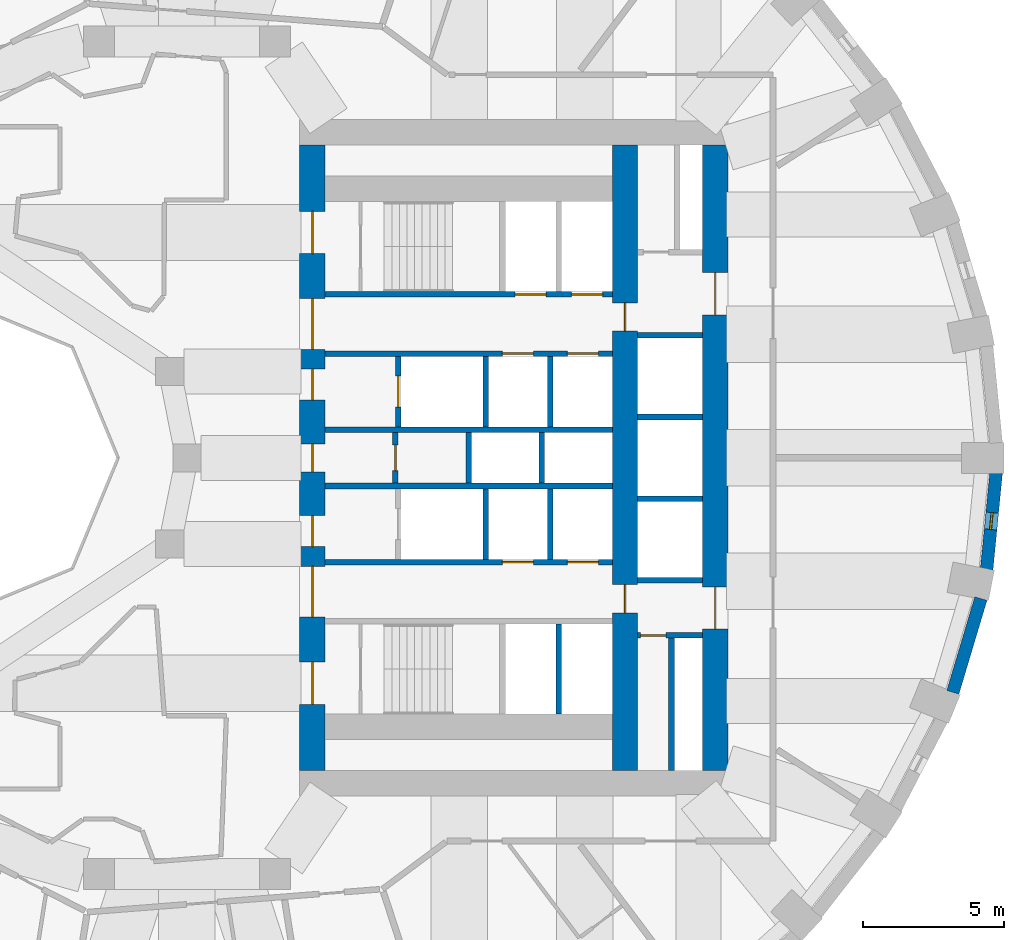
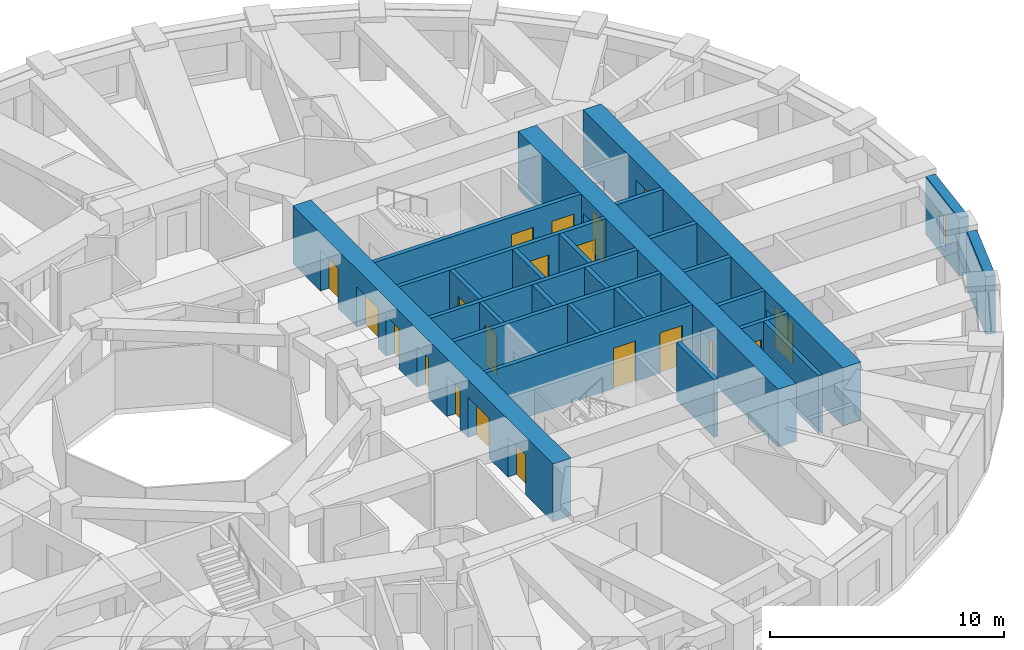
# One storey, part 6 of 13: 25 walls, 20 doors, 1 window, 21 openings.
"""IFC4 building model written with IfcOpenShell, lengths in metres."""

import ifcopenshell
import ifcopenshell.guid

model = None  # the IFC model being written
_history = None  # IfcOwnerHistory: only IFC2X3 demands one
_inside = {}  # id of a spatial element -> (the spatial element, [elements in it])
_under = {}  # id of a project, library or spatial element -> (it, [spatial elements below it])
_declared = {}  # id of a project -> (the project, [libraries it declares])
_typed = {}  # id of a type object -> (the type object, [elements of that type])
_made_of = {}  # id of a material, layer set ... -> (it, [elements and type objects made of it])


def new_model(schema):
    """Start an empty IFC model of exactly this schema.

    Asked for "IFC4X3", IfcOpenShell would pick the latest addendum, in which some entities
    have other attributes; the version numbers below select the first issue.
    IFC2X3 requires an IfcOwnerHistory on every rooted entity: one is made here for all.
    """
    global model, _history
    if schema == "IFC4X3":
        model = ifcopenshell.file(schema_version=(4, 3, 0, 0))
    else:
        model = ifcopenshell.file(schema=schema)
    _inside.clear()
    _under.clear()
    _declared.clear()
    _typed.clear()
    _made_of.clear()
    _history = None
    if model.schema == "IFC2X3":
        org = make("IfcOrganization", Name="unknown")
        user = make(
            "IfcPersonAndOrganization",
            ThePerson=make("IfcPerson", FamilyName="unknown"),
            TheOrganization=org,
        )
        app = make(
            "IfcApplication",
            ApplicationDeveloper=org,
            Version="unknown",
            ApplicationFullName="unknown",
            ApplicationIdentifier="unknown",
        )
        _history = make(
            "IfcOwnerHistory",
            OwningUser=user,
            OwningApplication=app,
            ChangeAction="ADDED",
            CreationDate=0,
        )
    return model


def make(cls, **values):
    """One entity of the class cls with the attributes given. An attribute that is None is left unset."""
    return model.create_entity(
        cls, **{name: value for name, value in values.items() if value is not None}
    )


def rooted(cls, **values):
    """An entity with a GlobalId (a new one), such as an element, a storey or a relation."""
    return make(cls, GlobalId=ifcopenshell.guid.new(), OwnerHistory=_history, **values)


def si_unit(unit_type, name, prefix=None):
    """IfcSIUnit, for example si_unit("LENGTHUNIT", "METRE", prefix="MILLI")."""
    return make("IfcSIUnit", UnitType=unit_type, Prefix=prefix, Name=name)


def assignment(units):
    """IfcUnitAssignment: the units of a project."""
    return None if units is None else make("IfcUnitAssignment", Units=units)


def point(xyz):
    """IfcCartesianPoint."""
    return None if xyz is None else make("IfcCartesianPoint", Coordinates=xyz)


def direction(xyz):
    """IfcDirection."""
    return None if xyz is None else make("IfcDirection", DirectionRatios=xyz)


def frame(location, z_axis=None, x_axis=None):
    """IfcAxis2Placement3D, a coordinate frame: its origin and axes. An axis left out is left unset."""
    return make(
        "IfcAxis2Placement3D",
        Location=point(location),
        Axis=direction(z_axis),
        RefDirection=direction(x_axis),
    )


def frame_2d(location, x_axis=None):
    """IfcAxis2Placement2D, a coordinate frame in the plane: its origin and x axis."""
    return make(
        "IfcAxis2Placement2D", Location=point(location), RefDirection=direction(x_axis)
    )


def origin():
    """The frame at (0, 0, 0) with its axes left unset."""
    return frame((0.0, 0.0, 0.0))


def place(relative_to, where):
    """IfcLocalPlacement: puts the frame where relative to a parent placement (None: the world)."""
    return make(
        "IfcLocalPlacement", PlacementRelTo=relative_to, RelativePlacement=where
    )


def context(
    kind, dimensions, precision=None, world=None, true_north=None, identifier=None
):
    """IfcGeometricRepresentationContext, for example the 3D "Model" context."""
    return make(
        "IfcGeometricRepresentationContext",
        ContextIdentifier=identifier,
        ContextType=kind,
        CoordinateSpaceDimension=dimensions,
        Precision=precision,
        WorldCoordinateSystem=world,
        TrueNorth=true_north,
    )


def subcontext(parent, identifier, kind, view, scale=None):
    """IfcGeometricRepresentationSubContext, for example "Body" below "Model"."""
    return make(
        "IfcGeometricRepresentationSubContext",
        ContextIdentifier=identifier,
        ContextType=kind,
        ParentContext=parent,
        TargetScale=scale,
        TargetView=view,
    )


def project(units=None, contexts=None):
    """IfcProject with its units and contexts."""
    return rooted(
        "IfcProject",
        Name="project",
        RepresentationContexts=contexts,
        UnitsInContext=assignment(units),
    )


def spatial(cls, under=None, at=None, **own):
    """A site, building, storey or space (cls), placed at a placement, below another one or the project."""
    s = rooted(cls, ObjectPlacement=at, **own)
    if under is not None:
        _under.setdefault(under.id(), (under, []))[1].append(s)
    return s


def profile(cls, at=None, kind="AREA", **sizes):
    """A parametric profile (cls). Its sizes go by their IFC names, for example OverallWidth=200.0."""
    return make(cls, ProfileType=kind, Position=at, **sizes)


def rectangle(**sizes):
    """IfcRectangleProfileDef."""
    return profile("IfcRectangleProfileDef", **sizes)


def extrude(swept, where, along, depth):
    """IfcExtrudedAreaSolid: the profile swept, set in the frame where, extruded along a direction by depth."""
    return make(
        "IfcExtrudedAreaSolid",
        SweptArea=swept,
        Position=where,
        ExtrudedDirection=direction(along),
        Depth=depth,
    )


def shape(context_of_items, identifier, shape_type, items):
    """IfcShapeRepresentation: the items that make up one representation, for example the "Body"."""
    return make(
        "IfcShapeRepresentation",
        ContextOfItems=context_of_items,
        RepresentationIdentifier=identifier,
        RepresentationType=shape_type,
        Items=items,
    )


def material(Name=None, Category=None):
    """IfcMaterial."""
    return make("IfcMaterial", Name=Name, Category=Category)


def layer(
    of_material, thickness, ventilated=None, Name=None, Category=None, Priority=None
):
    """IfcMaterialLayer: one layer of a wall or slab, of a material (None: an air gap)."""
    return make(
        "IfcMaterialLayer",
        Material=of_material,
        LayerThickness=thickness,
        IsVentilated=ventilated,
        Name=Name,
        Category=Category,
        Priority=Priority,
    )


def layer_set(layers, Name=None):
    """IfcMaterialLayerSet."""
    return make("IfcMaterialLayerSet", MaterialLayers=layers, LayerSetName=Name)


def made_of(thing, what):
    """Note that an element or type object is made of a material, layer set ...; save() writes the relation."""
    if what is not None:
        _made_of.setdefault(what.id(), (what, []))[1].append(thing)
    return thing


def type_object(cls, material=None, **own):
    """A type object (cls), such as IfcWallType, which elements share."""
    return made_of(rooted(cls, **own), material)


def element(
    cls,
    number,
    at=None,
    inside=None,
    cuts=None,
    type_object=None,
    material=None,
    context=None,
    identifier="Body",
    shape_type=None,
    held_by="IfcProductDefinitionShape",
    body=None,
    shapes=None,
    **own,
):
    """One element of the class cls, such as IfcWall. Its Tag is "e" and its number.

    at: its placement. inside: the storey or other place that contains it. cuts: it is an
    opening in that element (IfcRelVoidsElement). A single representation is given by context,
    identifier, shape_type and body (its items); several are given by shapes. held_by: the class
    of the entity that holds the representations. save() writes the other relations.
    """
    e = rooted(cls, Tag="e%d" % number, ObjectPlacement=at, **own)
    if body is not None:
        shapes = [shape(context, identifier, shape_type, body)]
    if shapes is not None:
        e.Representation = make(held_by, Representations=shapes)
    if inside is not None:
        _inside.setdefault(inside.id(), (inside, []))[1].append(e)
    if cuts is not None:
        rooted(
            "IfcRelVoidsElement", RelatingBuildingElement=cuts, RelatedOpeningElement=e
        )
    if type_object is not None:
        _typed.setdefault(type_object.id(), (type_object, []))[1].append(e)
    return made_of(e, material)


def fill(opening, filler):
    """IfcRelFillsElement: the door or window that sits in an opening."""
    return rooted(
        "IfcRelFillsElement",
        RelatingOpeningElement=opening,
        RelatedBuildingElement=filler,
    )


def aggregate(whole, parts):
    """IfcRelAggregates: a whole, such as a stair, and the parts it consists of."""
    return rooted("IfcRelAggregates", RelatingObject=whole, RelatedObjects=parts)


def save(model, path):
    """Write the relations noted so far, then the file.

    IfcRelAggregates (storeys below a building ...), IfcRelContainedInSpatialStructure (elements
    in a storey), IfcRelDefinesByType, IfcRelAssociatesMaterial and IfcRelDeclares: one each for
    every whole, place, type object, material and project.
    """
    for whole, parts in _under.values():
        aggregate(whole, parts)
    for where, things in _inside.values():
        rooted(
            "IfcRelContainedInSpatialStructure",
            RelatedElements=things,
            RelatingStructure=where,
        )
    for kind, things in _typed.values():
        rooted("IfcRelDefinesByType", RelatedObjects=things, RelatingType=kind)
    for what, things in _made_of.values():
        rooted("IfcRelAssociatesMaterial", RelatedObjects=things, RelatingMaterial=what)
    for by, libraries in _declared.values():
        rooted("IfcRelDeclares", RelatingContext=by, RelatedDefinitions=libraries)
    model.write(path)


model = new_model("IFC4")

# Units and contexts
model_context = context("Model", 3, precision=1e-05, world=origin(), true_north=direction((0.0, 1.0)))
body_context = subcontext(model_context, "Body", "Model", "MODEL_VIEW")
ifc_project = project(units=[si_unit("LENGTHUNIT", "METRE"), si_unit("AREAUNIT", "SQUARE_METRE"), si_unit("VOLUMEUNIT", "CUBIC_METRE"), si_unit("PLANEANGLEUNIT", "RADIAN"), si_unit("MASSUNIT", "GRAM", prefix="KILO")], contexts=[model_context])

# Site, building, storey
site_placement = place(None, origin())
site = spatial("IfcSite", under=ifc_project, at=site_placement, CompositionType="ELEMENT")
building_placement = place(site_placement, origin())
building = spatial("IfcBuilding", under=site, at=building_placement, Name="Taillehof Tower", CompositionType="ELEMENT")
storey_placement = place(building_placement, frame((0.0, 0.0, 34.89990234375)))
storey = spatial("IfcBuildingStorey", under=building, at=storey_placement, Name="L08", CompositionType="ELEMENT", Elevation=34.89990234375)

# Wall
ifc_material_1 = material(Name="Brick masonry", Category="masonry")
ifc_layer_1 = layer(ifc_material_1, 0.449951171875)
ifc_layer_set_1 = layer_set([ifc_layer_1], Name="Brick infill wall 450")
wall_type_1 = type_object("IfcWallType", Name="Brick infill wall 450", PredefinedType="SOLIDWALL", material=ifc_layer_set_1)
wall_1_placement = place(storey_placement, frame((27.184814453125, -8.322998046875, 0.0), z_axis=(0.0, 0.0, 1.0), x_axis=(0.287064133733, 0.957911364963, 0.0)))
element("IfcWall", 1, at=wall_1_placement, inside=storey, type_object=wall_type_1, Name="Brick wall L08 bay 35", PredefinedType="SOLIDWALL", context=body_context, shape_type="SweptSolid", body=[
    extrude(rectangle(XDim=3.473388671875, YDim=0.449951171875, at=frame_2d((1.73681640625, 0.0))), origin(), (0.0, 0.0, 1.0), 3.02001953125),
])

# Wall, opening, window
wall_2_placement = place(storey_placement, frame((28.38671875, -3.95556640625, 0.0), z_axis=(0.0, 0.0, 1.0), x_axis=(0.097389581596, 0.995246336038, 0.0)))
wall_2 = element("IfcWall", 2, at=wall_2_placement, inside=storey, type_object=wall_type_1, Name="Brick wall L08 bay 36", PredefinedType="SOLIDWALL", context=body_context, shape_type="SweptSolid", body=[
    extrude(rectangle(XDim=3.44189453125, YDim=0.449951171875, at=frame_2d((1.720947265625, 0.0))), origin(), (0.0, 0.0, 1.0), 3.02001953125),
])
opening_1_placement = place(wall_2_placement, frame((1.4208984375, 0.0, 0.39990234375)))
opening_1 = element("IfcOpeningElement", 3, at=opening_1_placement, cuts=wall_2, Name="Opening W6", PredefinedType="OPENING", context=body_context, shape_type="SweptSolid", body=[
    extrude(rectangle(XDim=0.60009765625, YDim=1.75, at=frame_2d((0.300048828125, 0.875))), frame((0.0, 0.23486328125, 0.0), z_axis=(0.0, -1.0, 0.0), x_axis=(1.0, 0.0, 0.0)), (0.0, 0.0, 1.0), 0.469970703125),
])
ifc_material_2 = material(Name="Aluminium window frame with clear double glazing", Category="aluminium")
window_type = type_object("IfcWindowType", Name="Slot window 600x1750", PartitioningType="SINGLE_PANEL", PredefinedType="WINDOW", material=ifc_material_2)
window_placement = place(opening_1_placement, origin())
window = element("IfcWindow", 4, at=window_placement, inside=storey, type_object=window_type, Name="W6", OverallHeight=1.75, OverallWidth=0.60009765625, PartitioningType="SINGLE_PANEL", PredefinedType="WINDOW", context=body_context, shape_type="SweptSolid", body=[
    extrude(rectangle(XDim=0.60009765625, YDim=1.75, at=frame_2d((0.300048828125, 0.875))), frame((0.0, 0.034912109375, 0.0), z_axis=(0.0, -1.0, 0.0), x_axis=(1.0, 0.0, 0.0)), (0.0, 0.0, 1.0), 0.06005859375),
])
fill(opening_1, window)

# Wall, opening, door
ifc_material_3 = material(Name="Calcium silicate masonry", Category="masonry")
ifc_layer_2 = layer(ifc_material_3, 0.199951171875)
ifc_layer_set_2 = layer_set([ifc_layer_2], Name="Compartment wall calcium silicate 200")
wall_type_2 = type_object("IfcWallType", Name="Compartment wall calcium silicate 200", PredefinedType="PARTITIONING", material=ifc_layer_set_2)
wall_3_placement = place(storey_placement, frame((7.39990234375, -0.89990234375, 0.0), z_axis=(0.0, 0.0, 1.0), x_axis=(0.0, 1.0, 0.0)))
wall_3 = element("IfcWall", 5, at=wall_3_placement, inside=storey, type_object=wall_type_2, Name="Compartment wall FW", PredefinedType="PARTITIONING", context=body_context, shape_type="SweptSolid", body=[
    extrude(rectangle(XDim=1.7998046875, YDim=0.199951171875, at=frame_2d((0.89990234375, 0.0))), origin(), (0.0, 0.0, 1.0), 3.02001953125),
])
opening_2_placement = place(wall_3_placement, frame((0.449951171875, 0.0, 0.0)))
opening_2 = element("IfcOpeningElement", 6, at=opening_2_placement, cuts=wall_3, Name="Opening D0814", PredefinedType="OPENING", context=body_context, shape_type="SweptSolid", body=[
    extrude(rectangle(XDim=0.89990234375, YDim=2.10009765625, at=frame_2d((0.449951171875, 1.050048828125))), frame((0.0, 0.10986328125, 0.0), z_axis=(0.0, -1.0, 0.0), x_axis=(1.0, 0.0, 0.0)), (0.0, 0.0, 1.0), 0.219970703125),
])
ifc_material_4 = material(Name="Steel-faced fire door", Category="steel")
door_type_1 = type_object("IfcDoorType", Name="Riser and service room door 900x2100", OperationType="SINGLE_SWING_LEFT", PredefinedType="DOOR", material=ifc_material_4)
door_1_placement = place(opening_2_placement, origin())
door_1 = element("IfcDoor", 7, at=door_1_placement, inside=storey, type_object=door_type_1, Name="Door Comms Room", OperationType="SINGLE_SWING_RIGHT", OverallHeight=2.10009765625, OverallWidth=0.89990234375, PredefinedType="DOOR", context=body_context, shape_type="SweptSolid", body=[
    extrude(rectangle(XDim=0.89990234375, YDim=2.10009765625, at=frame_2d((0.449951171875, 1.050048828125))), frame((0.0, 0.02490234375, 0.0), z_axis=(0.0, -1.0, 0.0), x_axis=(1.0, 0.0, 0.0)), (0.0, 0.0, 1.0), 0.050048828125),
])
fill(opening_2, door_1)

# Walls
for number, where, z_axis, x_axis, name in (
    (8, (10.0, -0.89990234375, 0.0), (0.0, 0.0, 1.0), (0.0, 1.0, 0.0), "Compartment wall FW"),
    (9, (12.60009765625, -0.89990234375, 0.0), (0.0, 0.0, 1.0), (0.0, 1.0, 0.0), "Compartment wall FW"),
):
    element("IfcWall", number, at=place(storey_placement, frame(where, z_axis=z_axis, x_axis=x_axis)), inside=storey, type_object=wall_type_2, Name=name, PredefinedType="PARTITIONING", context=body_context, shape_type="SweptSolid", body=[
        extrude(rectangle(XDim=1.7998046875, YDim=0.199951171875, at=frame_2d((0.89990234375, 0.0))), origin(), (0.0, 0.0, 1.0), 3.02001953125),
    ])

# Wall, opening, door
wall_4_placement = place(storey_placement, frame((16.0, -6.300048828125, 0.0), z_axis=(0.0, 0.0, 1.0), x_axis=(1.0, 0.0, 0.0)))
wall_4 = element("IfcWall", 10, at=wall_4_placement, inside=storey, type_object=wall_type_2, Name="Compartment wall FW", PredefinedType="PARTITIONING", context=body_context, shape_type="SweptSolid", body=[
    extrude(rectangle(XDim=2.300048828125, YDim=0.199951171875, at=frame_2d((1.14990234375, 0.0))), origin(), (0.0, 0.0, 1.0), 3.02001953125),
])
opening_3_placement = place(wall_4_placement, frame((0.10009765625, 0.0, 0.0)))
opening_3 = element("IfcOpeningElement", 11, at=opening_3_placement, cuts=wall_4, Name="Opening D0818", PredefinedType="OPENING", context=body_context, shape_type="SweptSolid", body=[
    extrude(rectangle(XDim=0.89990234375, YDim=2.10009765625, at=frame_2d((0.449951171875, 1.050048828125))), frame((0.0, 0.10986328125, 0.0), z_axis=(0.0, -1.0, 0.0), x_axis=(1.0, 0.0, 0.0)), (0.0, 0.0, 1.0), 0.219970703125),
])
door_2_placement = place(opening_3_placement, origin())
door_2 = element("IfcDoor", 12, at=door_2_placement, inside=storey, type_object=door_type_1, Name="Door Store", OperationType="SINGLE_SWING_LEFT", OverallHeight=2.10009765625, OverallWidth=0.89990234375, PredefinedType="DOOR", context=body_context, shape_type="SweptSolid", body=[
    extrude(rectangle(XDim=0.89990234375, YDim=2.10009765625, at=frame_2d((0.449951171875, 1.050048828125))), frame((0.0, 0.02490234375, 0.0), z_axis=(0.0, -1.0, 0.0), x_axis=(1.0, 0.0, 0.0)), (0.0, 0.0, 1.0), 0.050048828125),
])
fill(opening_3, door_2)

# Wall
wall_5_placement = place(storey_placement, frame((17.199951171875, -11.10009765625, 0.0), z_axis=(0.0, 0.0, 1.0), x_axis=(0.0, 1.0, 0.0)))
element("IfcWall", 13, at=wall_5_placement, inside=storey, type_object=wall_type_2, Name="Compartment wall FW", PredefinedType="PARTITIONING", context=body_context, shape_type="SweptSolid", body=[
    extrude(rectangle(XDim=4.7001953125, YDim=0.199951171875, at=frame_2d((2.35009765625, 0.0))), origin(), (0.0, 0.0, 1.0), 3.02001953125),
])

# Wall, openings, doors
ifc_material_5 = material(Name="Concrete C80/95", Category="concrete")
ifc_layer_3 = layer(ifc_material_5, 0.89990234375)
ifc_layer_set_3 = layer_set([ifc_layer_3], Name="Core wall C80/95 900")
wall_type_3 = type_object("IfcWallType", Name="Core wall C80/95 900", PredefinedType="SHEAR", material=ifc_layer_set_3)
wall_6_placement = place(storey_placement, frame((4.449951171875, -11.10009765625, 0.0), z_axis=(0.0, 0.0, 1.0), x_axis=(0.0, 1.0, 0.0)))
wall_6 = element("IfcWall", 14, at=wall_6_placement, inside=storey, type_object=wall_type_3, Name="Core wall CW01", PredefinedType="SHEAR", context=body_context, shape_type="SweptSolid", body=[
    extrude(rectangle(XDim=22.2001953125, YDim=0.89990234375, at=frame_2d((11.10009765625, 0.0))), origin(), (0.0, 0.0, 1.0), 3.02001953125),
])
opening_4_placement = place(wall_6_placement, frame((2.35009765625, 0.0, 0.0)))
opening_4 = element("IfcOpeningElement", 15, at=opening_4_placement, cuts=wall_6, Name="Opening D0801", PredefinedType="OPENING", context=body_context, shape_type="SweptSolid", body=[
    extrude(rectangle(XDim=1.5, YDim=2.10009765625, at=frame_2d((0.75, 1.050048828125))), frame((0.0, 0.4599609375, 0.0), z_axis=(0.0, -1.0, 0.0), x_axis=(1.0, 0.0, 0.0)), (0.0, 0.0, 1.0), 0.919921875),
])
opening_5_placement = place(wall_6_placement, frame((5.449951171875, 0.0, 0.0)))
opening_5 = element("IfcOpeningElement", 16, at=opening_5_placement, cuts=wall_6, Name="Opening D0802", PredefinedType="OPENING", context=body_context, shape_type="SweptSolid", body=[
    extrude(rectangle(XDim=1.800048828125, YDim=2.10009765625, at=frame_2d((0.89990234375, 1.050048828125))), frame((0.0, 0.4599609375, 0.0), z_axis=(0.0, -1.0, 0.0), x_axis=(1.0, 0.0, 0.0)), (0.0, 0.0, 1.0), 0.919921875),
])
opening_6_placement = place(wall_6_placement, frame((7.949951171875, 0.0, 0.0)))
opening_6 = element("IfcOpeningElement", 17, at=opening_6_placement, cuts=wall_6, Name="Opening D0803", PredefinedType="OPENING", context=body_context, shape_type="SweptSolid", body=[
    extrude(rectangle(XDim=1.10009765625, YDim=2.10009765625, at=frame_2d((0.550048828125, 1.050048828125))), frame((0.0, 0.4599609375, 0.0), z_axis=(0.0, -1.0, 0.0), x_axis=(1.0, 0.0, 0.0)), (0.0, 0.0, 1.0), 0.919921875),
])
opening_7_placement = place(wall_6_placement, frame((10.60009765625, 0.0, 0.0)))
opening_7 = element("IfcOpeningElement", 18, at=opening_7_placement, cuts=wall_6, Name="Opening D0804", PredefinedType="OPENING", context=body_context, shape_type="SweptSolid", body=[
    extrude(rectangle(XDim=1.0, YDim=2.10009765625, at=frame_2d((0.5, 1.050048828125))), frame((0.0, 0.4599609375, 0.0), z_axis=(0.0, -1.0, 0.0), x_axis=(1.0, 0.0, 0.0)), (0.0, 0.0, 1.0), 0.919921875),
])
opening_8_placement = place(wall_6_placement, frame((13.14990234375, 0.0, 0.0)))
opening_8 = element("IfcOpeningElement", 19, at=opening_8_placement, cuts=wall_6, Name="Opening D0805", PredefinedType="OPENING", context=body_context, shape_type="SweptSolid", body=[
    extrude(rectangle(XDim=1.10009765625, YDim=2.10009765625, at=frame_2d((0.550048828125, 1.050048828125))), frame((0.0, 0.4599609375, 0.0), z_axis=(0.0, -1.0, 0.0), x_axis=(1.0, 0.0, 0.0)), (0.0, 0.0, 1.0), 0.919921875),
])
opening_9_placement = place(wall_6_placement, frame((14.949951171875, 0.0, 0.0)))
opening_9 = element("IfcOpeningElement", 20, at=opening_9_placement, cuts=wall_6, Name="Opening D0806", PredefinedType="OPENING", context=body_context, shape_type="SweptSolid", body=[
    extrude(rectangle(XDim=1.800048828125, YDim=2.10009765625, at=frame_2d((0.89990234375, 1.050048828125))), frame((0.0, 0.4599609375, 0.0), z_axis=(0.0, -1.0, 0.0), x_axis=(1.0, 0.0, 0.0)), (0.0, 0.0, 1.0), 0.919921875),
])
opening_10_placement = place(wall_6_placement, frame((18.35009765625, 0.0, 0.0)))
opening_10 = element("IfcOpeningElement", 21, at=opening_10_placement, cuts=wall_6, Name="Opening D0807", PredefinedType="OPENING", context=body_context, shape_type="SweptSolid", body=[
    extrude(rectangle(XDim=1.5, YDim=2.10009765625, at=frame_2d((0.75, 1.050048828125))), frame((0.0, 0.4599609375, 0.0), z_axis=(0.0, -1.0, 0.0), x_axis=(1.0, 0.0, 0.0)), (0.0, 0.0, 1.0), 0.919921875),
])
ifc_material_6 = material(Name="Steel-faced fire door", Category="steel")
door_type_2 = type_object("IfcDoorType", Name="Firefighting lobby door 1100x2100", OperationType="SINGLE_SWING_RIGHT", PredefinedType="DOOR", material=ifc_material_6)
door_3_placement = place(opening_6_placement, origin())
door_3 = element("IfcDoor", 22, at=door_3_placement, inside=storey, type_object=door_type_2, Name="Firefighting lobby door FFL-S", OperationType="SINGLE_SWING_RIGHT", OverallHeight=2.10009765625, OverallWidth=1.10009765625, PredefinedType="DOOR", context=body_context, shape_type="SweptSolid", body=[
    extrude(rectangle(XDim=1.10009765625, YDim=2.10009765625, at=frame_2d((0.550048828125, 1.050048828125))), frame((0.0, 0.02490234375, 0.0), z_axis=(0.0, -1.0, 0.0), x_axis=(1.0, 0.0, 0.0)), (0.0, 0.0, 1.0), 0.050048828125),
])
fill(opening_6, door_3)
door_4_placement = place(opening_8_placement, origin())
door_4 = element("IfcDoor", 23, at=door_4_placement, inside=storey, type_object=door_type_2, Name="Firefighting lobby door FFL-N", OperationType="SINGLE_SWING_LEFT", OverallHeight=2.10009765625, OverallWidth=1.10009765625, PredefinedType="DOOR", context=body_context, shape_type="SweptSolid", body=[
    extrude(rectangle(XDim=1.10009765625, YDim=2.10009765625, at=frame_2d((0.550048828125, 1.050048828125))), frame((0.0, 0.02490234375, 0.0), z_axis=(0.0, -1.0, 0.0), x_axis=(1.0, 0.0, 0.0)), (0.0, 0.0, 1.0), 0.050048828125),
])
fill(opening_8, door_4)
ifc_material_7 = material(Name="Steel-faced fire door", Category="steel")
door_type_3 = type_object("IfcDoorType", Name="Lift lobby door 1800x2100", OperationType="DOUBLE_DOOR_SINGLE_SWING", PredefinedType="DOOR", material=ifc_material_7)
door_5_placement = place(opening_5_placement, origin())
door_5 = element("IfcDoor", 24, at=door_5_placement, inside=storey, type_object=door_type_3, Name="Lift lobby door LL-S", OperationType="DOUBLE_DOOR_SINGLE_SWING", OverallHeight=2.10009765625, OverallWidth=1.800048828125, PredefinedType="DOOR", context=body_context, shape_type="SweptSolid", body=[
    extrude(rectangle(XDim=1.800048828125, YDim=2.10009765625, at=frame_2d((0.89990234375, 1.050048828125))), frame((0.0, 0.02490234375, 0.0), z_axis=(0.0, -1.0, 0.0), x_axis=(1.0, 0.0, 0.0)), (0.0, 0.0, 1.0), 0.050048828125),
])
fill(opening_5, door_5)
door_6_placement = place(opening_9_placement, origin())
door_6 = element("IfcDoor", 25, at=door_6_placement, inside=storey, type_object=door_type_3, Name="Lift lobby door LL-N", OperationType="DOUBLE_DOOR_SINGLE_SWING", OverallHeight=2.10009765625, OverallWidth=1.800048828125, PredefinedType="DOOR", context=body_context, shape_type="SweptSolid", body=[
    extrude(rectangle(XDim=1.800048828125, YDim=2.10009765625, at=frame_2d((0.89990234375, 1.050048828125))), frame((0.0, 0.02490234375, 0.0), z_axis=(0.0, -1.0, 0.0), x_axis=(1.0, 0.0, 0.0)), (0.0, 0.0, 1.0), 0.050048828125),
])
fill(opening_9, door_6)
ifc_material_8 = material(Name="Steel-faced fire door", Category="steel")
door_type_4 = type_object("IfcDoorType", Name="Service door 1000x2100", OperationType="SINGLE_SWING_RIGHT", PredefinedType="DOOR", material=ifc_material_8)
door_7_placement = place(opening_7_placement, origin())
door_7 = element("IfcDoor", 26, at=door_7_placement, inside=storey, type_object=door_type_4, Name="Service door SV", OperationType="SINGLE_SWING_RIGHT", OverallHeight=2.10009765625, OverallWidth=1.0, PredefinedType="DOOR", context=body_context, shape_type="SweptSolid", body=[
    extrude(rectangle(XDim=1.0, YDim=2.10009765625, at=frame_2d((0.5, 1.050048828125))), frame((0.0, 0.02490234375, 0.0), z_axis=(0.0, -1.0, 0.0), x_axis=(1.0, 0.0, 0.0)), (0.0, 0.0, 1.0), 0.050048828125),
])
fill(opening_7, door_7)
ifc_material_9 = material(Name="Steel-faced fire door", Category="steel")
door_type_5 = type_object("IfcDoorType", Name="Stair door 1500x2100", OperationType="DOUBLE_DOOR_SINGLE_SWING", PredefinedType="DOOR", material=ifc_material_9)
door_8_placement = place(opening_4_placement, origin())
door_8 = element("IfcDoor", 27, at=door_8_placement, inside=storey, type_object=door_type_5, Name="Stair door S2", OperationType="DOUBLE_DOOR_SINGLE_SWING", OverallHeight=2.10009765625, OverallWidth=1.5, PredefinedType="DOOR", context=body_context, shape_type="SweptSolid", body=[
    extrude(rectangle(XDim=1.5, YDim=2.10009765625, at=frame_2d((0.75, 1.050048828125))), frame((0.0, 0.02490234375, 0.0), z_axis=(0.0, -1.0, 0.0), x_axis=(1.0, 0.0, 0.0)), (0.0, 0.0, 1.0), 0.050048828125),
])
fill(opening_4, door_8)
door_9_placement = place(opening_10_placement, origin())
door_9 = element("IfcDoor", 28, at=door_9_placement, inside=storey, type_object=door_type_5, Name="Stair door S1", OperationType="DOUBLE_DOOR_SINGLE_SWING", OverallHeight=2.10009765625, OverallWidth=1.5, PredefinedType="DOOR", context=body_context, shape_type="SweptSolid", body=[
    extrude(rectangle(XDim=1.5, YDim=2.10009765625, at=frame_2d((0.75, 1.050048828125))), frame((0.0, 0.02490234375, 0.0), z_axis=(0.0, -1.0, 0.0), x_axis=(1.0, 0.0, 0.0)), (0.0, 0.0, 1.0), 0.050048828125),
])
fill(opening_10, door_9)

wall_7_placement = place(storey_placement, frame((18.75, -11.10009765625, 0.0), z_axis=(0.0, 0.0, 1.0), x_axis=(0.0, 1.0, 0.0)))
wall_7 = element("IfcWall", 29, at=wall_7_placement, inside=storey, type_object=wall_type_3, Name="Core wall CW02", PredefinedType="SHEAR", context=body_context, shape_type="SweptSolid", body=[
    extrude(rectangle(XDim=22.2001953125, YDim=0.89990234375, at=frame_2d((11.10009765625, 0.0))), origin(), (0.0, 0.0, 1.0), 3.02001953125),
])
opening_11_placement = place(wall_7_placement, frame((16.175048828125, 0.0, 0.0)))
opening_11 = element("IfcOpeningElement", 30, at=opening_11_placement, cuts=wall_7, Name="Opening D0808", PredefinedType="OPENING", context=body_context, shape_type="SweptSolid", body=[
    extrude(rectangle(XDim=1.5, YDim=2.10009765625, at=frame_2d((0.75, 1.050048828125))), frame((0.0, 0.4599609375, 0.0), z_axis=(0.0, -1.0, 0.0), x_axis=(1.0, 0.0, 0.0)), (0.0, 0.0, 1.0), 0.919921875),
])
opening_12_placement = place(wall_7_placement, frame((5.02490234375, 0.0, 0.0)))
opening_12 = element("IfcOpeningElement", 31, at=opening_12_placement, cuts=wall_7, Name="Opening D0809", PredefinedType="OPENING", context=body_context, shape_type="SweptSolid", body=[
    extrude(rectangle(XDim=1.5, YDim=2.10009765625, at=frame_2d((0.75, 1.050048828125))), frame((0.0, 0.4599609375, 0.0), z_axis=(0.0, -1.0, 0.0), x_axis=(1.0, 0.0, 0.0)), (0.0, 0.0, 1.0), 0.919921875),
])
ifc_material_10 = material(Name="Steel-faced fire door", Category="steel")
door_type_6 = type_object("IfcDoorType", Name="Lift lobby east door 1500x2100", OperationType="DOUBLE_DOOR_SINGLE_SWING", PredefinedType="DOOR", material=ifc_material_10)
door_10_placement = place(opening_11_placement, origin())
door_10 = element("IfcDoor", 32, at=door_10_placement, inside=storey, type_object=door_type_6, Name="Lift lobby east door north", OperationType="DOUBLE_DOOR_SINGLE_SWING", OverallHeight=2.10009765625, OverallWidth=1.5, PredefinedType="DOOR", context=body_context, shape_type="SweptSolid", body=[
    extrude(rectangle(XDim=1.5, YDim=2.10009765625, at=frame_2d((0.75, 1.050048828125))), frame((0.0, 0.02490234375, 0.0), z_axis=(0.0, -1.0, 0.0), x_axis=(1.0, 0.0, 0.0)), (0.0, 0.0, 1.0), 0.050048828125),
])
fill(opening_11, door_10)
door_11_placement = place(opening_12_placement, origin())
door_11 = element("IfcDoor", 33, at=door_11_placement, inside=storey, type_object=door_type_6, Name="Lift lobby east door south", OperationType="DOUBLE_DOOR_SINGLE_SWING", OverallHeight=2.10009765625, OverallWidth=1.5, PredefinedType="DOOR", context=body_context, shape_type="SweptSolid", body=[
    extrude(rectangle(XDim=1.5, YDim=2.10009765625, at=frame_2d((0.75, 1.050048828125))), frame((0.0, 0.02490234375, 0.0), z_axis=(0.0, -1.0, 0.0), x_axis=(1.0, 0.0, 0.0)), (0.0, 0.0, 1.0), 0.050048828125),
])
fill(opening_12, door_11)

wall_8_placement = place(storey_placement, frame((15.550048828125, -11.10009765625, 0.0), z_axis=(0.0, 0.0, 1.0), x_axis=(0.0, 1.0, 0.0)))
wall_8 = element("IfcWall", 34, at=wall_8_placement, inside=storey, type_object=wall_type_3, Name="Core wall CW05", PredefinedType="SHEAR", context=body_context, shape_type="SweptSolid", body=[
    extrude(rectangle(XDim=22.2001953125, YDim=0.89990234375, at=frame_2d((11.10009765625, 0.0))), origin(), (0.0, 0.0, 1.0), 3.02001953125),
])
opening_13_placement = place(wall_8_placement, frame((15.60009765625, 0.0, 0.0)))
opening_13 = element("IfcOpeningElement", 35, at=opening_13_placement, cuts=wall_8, Name="Opening D0815", PredefinedType="OPENING", context=body_context, shape_type="SweptSolid", body=[
    extrude(rectangle(XDim=1.0, YDim=2.10009765625, at=frame_2d((0.5, 1.050048828125))), frame((0.0, 0.4599609375, 0.0), z_axis=(0.0, -1.0, 0.0), x_axis=(1.0, 0.0, 0.0)), (0.0, 0.0, 1.0), 0.919921875),
])
opening_14_placement = place(wall_8_placement, frame((5.60009765625, 0.0, 0.0)))
opening_14 = element("IfcOpeningElement", 36, at=opening_14_placement, cuts=wall_8, Name="Opening D0817", PredefinedType="OPENING", context=body_context, shape_type="SweptSolid", body=[
    extrude(rectangle(XDim=1.0, YDim=2.10009765625, at=frame_2d((0.5, 1.050048828125))), frame((0.0, 0.4599609375, 0.0), z_axis=(0.0, -1.0, 0.0), x_axis=(1.0, 0.0, 0.0)), (0.0, 0.0, 1.0), 0.919921875),
])
door_12_placement = place(opening_13_placement, origin())
door_12 = element("IfcDoor", 37, at=door_12_placement, inside=storey, type_object=door_type_4, Name="Service door strip", OperationType="SINGLE_SWING_RIGHT", OverallHeight=2.10009765625, OverallWidth=1.0, PredefinedType="DOOR", context=body_context, shape_type="SweptSolid", body=[
    extrude(rectangle(XDim=1.0, YDim=2.10009765625, at=frame_2d((0.5, 1.050048828125))), frame((0.0, 0.02490234375, 0.0), z_axis=(0.0, -1.0, 0.0), x_axis=(1.0, 0.0, 0.0)), (0.0, 0.0, 1.0), 0.050048828125),
])
fill(opening_13, door_12)
door_13_placement = place(opening_14_placement, origin())
door_13 = element("IfcDoor", 38, at=door_13_placement, inside=storey, type_object=door_type_4, Name="Service door strip", OperationType="SINGLE_SWING_LEFT", OverallHeight=2.10009765625, OverallWidth=1.0, PredefinedType="DOOR", context=body_context, shape_type="SweptSolid", body=[
    extrude(rectangle(XDim=1.0, YDim=2.10009765625, at=frame_2d((0.5, 1.050048828125))), frame((0.0, 0.02490234375, 0.0), z_axis=(0.0, -1.0, 0.0), x_axis=(1.0, 0.0, 0.0)), (0.0, 0.0, 1.0), 0.050048828125),
])
fill(opening_14, door_13)

ifc_material_11 = material(Name="Concrete C50/60", Category="concrete")
ifc_layer_4 = layer(ifc_material_11, 0.199951171875)
ifc_layer_set_4 = layer_set([ifc_layer_4], Name="Shaft wall C50/60 200")
wall_type_4 = type_object("IfcWallType", Name="Shaft wall C50/60 200", PredefinedType="SHEAR", material=ifc_layer_set_4)
wall_9_placement = place(storey_placement, frame((4.89990234375, 5.800048828125, 0.0), z_axis=(0.0, 0.0, 1.0), x_axis=(1.0, 0.0, 0.0)))
wall_9 = element("IfcWall", 39, at=wall_9_placement, inside=storey, type_object=wall_type_4, Name="Shaft wall SW", PredefinedType="SHEAR", context=body_context, shape_type="SweptSolid", body=[
    extrude(rectangle(XDim=10.2001953125, YDim=0.199951171875, at=frame_2d((5.10009765625, 0.0))), origin(), (0.0, 0.0, 1.0), 3.02001953125),
])
opening_15_placement = place(wall_9_placement, frame((6.75, 0.0, 0.0)))
opening_15 = element("IfcOpeningElement", 40, at=opening_15_placement, cuts=wall_9, Name="Opening LD1", PredefinedType="OPENING", context=body_context, shape_type="SweptSolid", body=[
    extrude(rectangle(XDim=1.10009765625, YDim=2.10009765625, at=frame_2d((0.550048828125, 1.050048828125))), frame((0.0, 0.10986328125, 0.0), z_axis=(0.0, -1.0, 0.0), x_axis=(1.0, 0.0, 0.0)), (0.0, 0.0, 1.0), 0.219970703125),
])
opening_16_placement = place(wall_9_placement, frame((8.75, 0.0, 0.0)))
opening_16 = element("IfcOpeningElement", 41, at=opening_16_placement, cuts=wall_9, Name="Opening LD1", PredefinedType="OPENING", context=body_context, shape_type="SweptSolid", body=[
    extrude(rectangle(XDim=1.10009765625, YDim=2.10009765625, at=frame_2d((0.550048828125, 1.050048828125))), frame((0.0, 0.10986328125, 0.0), z_axis=(0.0, -1.0, 0.0), x_axis=(1.0, 0.0, 0.0)), (0.0, 0.0, 1.0), 0.219970703125),
])
ifc_material_12 = material(Name="Stainless steel", Category="steel")
door_type_7 = type_object("IfcDoorType", Name="Lift landing door LD1 1100x2100", OperationType="DOUBLE_DOOR_SLIDING", PredefinedType="DOOR", material=ifc_material_12)
door_14_placement = place(opening_15_placement, origin())
door_14 = element("IfcDoor", 42, at=door_14_placement, inside=storey, type_object=door_type_7, Name="Landing door LR1", OperationType="DOUBLE_DOOR_SLIDING", OverallHeight=2.10009765625, OverallWidth=1.10009765625, PredefinedType="DOOR", context=body_context, shape_type="SweptSolid", body=[
    extrude(rectangle(XDim=1.10009765625, YDim=2.10009765625, at=frame_2d((0.550048828125, 1.050048828125))), frame((0.0, 0.02490234375, 0.0), z_axis=(0.0, -1.0, 0.0), x_axis=(1.0, 0.0, 0.0)), (0.0, 0.0, 1.0), 0.050048828125),
])
fill(opening_15, door_14)
door_15_placement = place(opening_16_placement, origin())
door_15 = element("IfcDoor", 43, at=door_15_placement, inside=storey, type_object=door_type_7, Name="Landing door LR2", OperationType="DOUBLE_DOOR_SLIDING", OverallHeight=2.10009765625, OverallWidth=1.10009765625, PredefinedType="DOOR", context=body_context, shape_type="SweptSolid", body=[
    extrude(rectangle(XDim=1.10009765625, YDim=2.10009765625, at=frame_2d((0.550048828125, 1.050048828125))), frame((0.0, 0.02490234375, 0.0), z_axis=(0.0, -1.0, 0.0), x_axis=(1.0, 0.0, 0.0)), (0.0, 0.0, 1.0), 0.050048828125),
])
fill(opening_16, door_15)

wall_10_placement = place(storey_placement, frame((4.89990234375, 3.699951171875, 0.0), z_axis=(0.0, 0.0, 1.0), x_axis=(1.0, 0.0, 0.0)))
wall_10 = element("IfcWall", 44, at=wall_10_placement, inside=storey, type_object=wall_type_4, Name="Shaft wall SW", PredefinedType="SHEAR", context=body_context, shape_type="SweptSolid", body=[
    extrude(rectangle(XDim=10.2001953125, YDim=0.199951171875, at=frame_2d((5.10009765625, 0.0))), origin(), (0.0, 0.0, 1.0), 3.02001953125),
])
opening_17_placement = place(wall_10_placement, frame((6.300048828125, 0.0, 0.0)))
opening_17 = element("IfcOpeningElement", 45, at=opening_17_placement, cuts=wall_10, Name="Opening LD1", PredefinedType="OPENING", context=body_context, shape_type="SweptSolid", body=[
    extrude(rectangle(XDim=1.10009765625, YDim=2.10009765625, at=frame_2d((0.550048828125, 1.050048828125))), frame((0.0, 0.10986328125, 0.0), z_axis=(0.0, -1.0, 0.0), x_axis=(1.0, 0.0, 0.0)), (0.0, 0.0, 1.0), 0.219970703125),
])
opening_18_placement = place(wall_10_placement, frame((8.60009765625, 0.0, 0.0)))
opening_18 = element("IfcOpeningElement", 46, at=opening_18_placement, cuts=wall_10, Name="Opening LD1", PredefinedType="OPENING", context=body_context, shape_type="SweptSolid", body=[
    extrude(rectangle(XDim=1.10009765625, YDim=2.10009765625, at=frame_2d((0.550048828125, 1.050048828125))), frame((0.0, 0.10986328125, 0.0), z_axis=(0.0, -1.0, 0.0), x_axis=(1.0, 0.0, 0.0)), (0.0, 0.0, 1.0), 0.219970703125),
])
door_16_placement = place(opening_17_placement, origin())
door_16 = element("IfcDoor", 47, at=door_16_placement, inside=storey, type_object=door_type_7, Name="Landing door LR3", OperationType="DOUBLE_DOOR_SLIDING", OverallHeight=2.10009765625, OverallWidth=1.10009765625, PredefinedType="DOOR", context=body_context, shape_type="SweptSolid", body=[
    extrude(rectangle(XDim=1.10009765625, YDim=2.10009765625, at=frame_2d((0.550048828125, 1.050048828125))), frame((0.0, 0.02490234375, 0.0), z_axis=(0.0, -1.0, 0.0), x_axis=(1.0, 0.0, 0.0)), (0.0, 0.0, 1.0), 0.050048828125),
])
fill(opening_17, door_16)
door_17_placement = place(opening_18_placement, origin())
door_17 = element("IfcDoor", 48, at=door_17_placement, inside=storey, type_object=door_type_7, Name="Landing door LR4", OperationType="DOUBLE_DOOR_SLIDING", OverallHeight=2.10009765625, OverallWidth=1.10009765625, PredefinedType="DOOR", context=body_context, shape_type="SweptSolid", body=[
    extrude(rectangle(XDim=1.10009765625, YDim=2.10009765625, at=frame_2d((0.550048828125, 1.050048828125))), frame((0.0, 0.02490234375, 0.0), z_axis=(0.0, -1.0, 0.0), x_axis=(1.0, 0.0, 0.0)), (0.0, 0.0, 1.0), 0.050048828125),
])
fill(opening_18, door_17)

# Walls
for number, where, z_axis, x_axis, name in (
    (49, (4.89990234375, 1.0, 0.0), (0.0, 0.0, 1.0), (1.0, 0.0, 0.0), "Shaft wall SW"),
    (50, (4.89990234375, -1.0, 0.0), (0.0, 0.0, 1.0), (1.0, 0.0, 0.0), "Shaft wall SW"),
):
    element("IfcWall", number, at=place(storey_placement, frame(where, z_axis=z_axis, x_axis=x_axis)), inside=storey, type_object=wall_type_4, Name=name, PredefinedType="SHEAR", context=body_context, shape_type="SweptSolid", body=[
        extrude(rectangle(XDim=10.2001953125, YDim=0.199951171875, at=frame_2d((5.10009765625, 0.0))), origin(), (0.0, 0.0, 1.0), 3.02001953125),
    ])

# Wall, openings, doors
wall_11_placement = place(storey_placement, frame((4.89990234375, -3.699951171875, 0.0), z_axis=(0.0, 0.0, 1.0), x_axis=(1.0, 0.0, 0.0)))
wall_11 = element("IfcWall", 51, at=wall_11_placement, inside=storey, type_object=wall_type_4, Name="Shaft wall SW", PredefinedType="SHEAR", context=body_context, shape_type="SweptSolid", body=[
    extrude(rectangle(XDim=10.2001953125, YDim=0.199951171875, at=frame_2d((5.10009765625, 0.0))), origin(), (0.0, 0.0, 1.0), 3.02001953125),
])
opening_19_placement = place(wall_11_placement, frame((6.300048828125, 0.0, 0.0)))
opening_19 = element("IfcOpeningElement", 52, at=opening_19_placement, cuts=wall_11, Name="Opening LD1", PredefinedType="OPENING", context=body_context, shape_type="SweptSolid", body=[
    extrude(rectangle(XDim=1.10009765625, YDim=2.10009765625, at=frame_2d((0.550048828125, 1.050048828125))), frame((0.0, 0.10986328125, 0.0), z_axis=(0.0, -1.0, 0.0), x_axis=(1.0, 0.0, 0.0)), (0.0, 0.0, 1.0), 0.219970703125),
])
opening_20_placement = place(wall_11_placement, frame((8.60009765625, 0.0, 0.0)))
opening_20 = element("IfcOpeningElement", 53, at=opening_20_placement, cuts=wall_11, Name="Opening LD1", PredefinedType="OPENING", context=body_context, shape_type="SweptSolid", body=[
    extrude(rectangle(XDim=1.10009765625, YDim=2.10009765625, at=frame_2d((0.550048828125, 1.050048828125))), frame((0.0, 0.10986328125, 0.0), z_axis=(0.0, -1.0, 0.0), x_axis=(1.0, 0.0, 0.0)), (0.0, 0.0, 1.0), 0.219970703125),
])
door_18_placement = place(opening_19_placement, origin())
door_18 = element("IfcDoor", 54, at=door_18_placement, inside=storey, type_object=door_type_7, Name="Landing door LR5", OperationType="DOUBLE_DOOR_SLIDING", OverallHeight=2.10009765625, OverallWidth=1.10009765625, PredefinedType="DOOR", context=body_context, shape_type="SweptSolid", body=[
    extrude(rectangle(XDim=1.10009765625, YDim=2.10009765625, at=frame_2d((0.550048828125, 1.050048828125))), frame((0.0, 0.02490234375, 0.0), z_axis=(0.0, -1.0, 0.0), x_axis=(1.0, 0.0, 0.0)), (0.0, 0.0, 1.0), 0.050048828125),
])
fill(opening_19, door_18)
door_19_placement = place(opening_20_placement, origin())
door_19 = element("IfcDoor", 55, at=door_19_placement, inside=storey, type_object=door_type_7, Name="Landing door LR6", OperationType="DOUBLE_DOOR_SLIDING", OverallHeight=2.10009765625, OverallWidth=1.10009765625, PredefinedType="DOOR", context=body_context, shape_type="SweptSolid", body=[
    extrude(rectangle(XDim=1.10009765625, YDim=2.10009765625, at=frame_2d((0.550048828125, 1.050048828125))), frame((0.0, 0.02490234375, 0.0), z_axis=(0.0, -1.0, 0.0), x_axis=(1.0, 0.0, 0.0)), (0.0, 0.0, 1.0), 0.050048828125),
])
fill(opening_20, door_19)

# Wall
wall_12_placement = place(storey_placement, frame((13.199951171875, -9.10009765625, 0.0), z_axis=(0.0, 0.0, 1.0), x_axis=(0.0, 1.0, 0.0)))
element("IfcWall", 56, at=wall_12_placement, inside=storey, type_object=wall_type_4, Name="Shaft wall SW", PredefinedType="SHEAR", context=body_context, shape_type="SweptSolid", body=[
    extrude(rectangle(XDim=3.2001953125, YDim=0.199951171875, at=frame_2d((1.60009765625, 0.0))), origin(), (0.0, 0.0, 1.0), 3.02001953125),
])

# Wall, opening, door
wall_13_placement = place(storey_placement, frame((7.5, 1.10009765625, 0.0), z_axis=(0.0, 0.0, 1.0), x_axis=(0.0, 1.0, 0.0)))
wall_13 = element("IfcWall", 57, at=wall_13_placement, inside=storey, type_object=wall_type_4, Name="Shaft wall SW", PredefinedType="SHEAR", context=body_context, shape_type="SweptSolid", body=[
    extrude(rectangle(XDim=2.5, YDim=0.199951171875, at=frame_2d((1.25, 0.0))), origin(), (0.0, 0.0, 1.0), 3.02001953125),
])
opening_21_placement = place(wall_13_placement, frame((0.699951171875, 0.0, 0.0)))
opening_21 = element("IfcOpeningElement", 58, at=opening_21_placement, cuts=wall_13, Name="Opening LD1", PredefinedType="OPENING", context=body_context, shape_type="SweptSolid", body=[
    extrude(rectangle(XDim=1.10009765625, YDim=2.10009765625, at=frame_2d((0.550048828125, 1.050048828125))), frame((0.0, 0.10986328125, 0.0), z_axis=(0.0, -1.0, 0.0), x_axis=(1.0, 0.0, 0.0)), (0.0, 0.0, 1.0), 0.219970703125),
])
door_20_placement = place(opening_21_placement, origin())
door_20 = element("IfcDoor", 59, at=door_20_placement, inside=storey, type_object=door_type_7, Name="Landing door FF1", OperationType="DOUBLE_DOOR_SLIDING", OverallHeight=2.10009765625, OverallWidth=1.10009765625, PredefinedType="DOOR", context=body_context, shape_type="SweptSolid", body=[
    extrude(rectangle(XDim=1.10009765625, YDim=2.10009765625, at=frame_2d((0.550048828125, 1.050048828125))), frame((0.0, 0.02490234375, 0.0), z_axis=(0.0, -1.0, 0.0), x_axis=(1.0, 0.0, 0.0)), (0.0, 0.0, 1.0), 0.050048828125),
])
fill(opening_21, door_20)

# Walls
for number, where, z_axis, x_axis, name in (
    (60, (10.60009765625, 1.10009765625, 0.0), (0.0, 0.0, 1.0), (0.0, 1.0, 0.0), "Shaft wall SW"),
    (61, (10.60009765625, -3.60009765625, 0.0), (0.0, 0.0, 1.0), (0.0, 1.0, 0.0), "Shaft wall SW"),
    (62, (12.89990234375, 1.10009765625, 0.0), (0.0, 0.0, 1.0), (0.0, 1.0, 0.0), "Shaft wall SW"),
    (63, (12.89990234375, -3.60009765625, 0.0), (0.0, 0.0, 1.0), (0.0, 1.0, 0.0), "Shaft wall SW"),
):
    element("IfcWall", number, at=place(storey_placement, frame(where, z_axis=z_axis, x_axis=x_axis)), inside=storey, type_object=wall_type_4, Name=name, PredefinedType="SHEAR", context=body_context, shape_type="SweptSolid", body=[
        extrude(rectangle(XDim=2.5, YDim=0.199951171875, at=frame_2d((1.25, 0.0))), origin(), (0.0, 0.0, 1.0), 3.02001953125),
    ])
for number, where, z_axis, x_axis, name in (
    (64, (16.0, -4.35009765625, 0.0), (0.0, 0.0, 1.0), (1.0, 0.0, 0.0), "Shaft wall SW"),
    (65, (16.0, -1.449951171875, 0.0), (0.0, 0.0, 1.0), (1.0, 0.0, 0.0), "Shaft wall SW"),
    (66, (16.0, 1.449951171875, 0.0), (0.0, 0.0, 1.0), (1.0, 0.0, 0.0), "Shaft wall SW"),
    (67, (16.0, 4.35009765625, 0.0), (0.0, 0.0, 1.0), (1.0, 0.0, 0.0), "Shaft wall SW"),
):
    element("IfcWall", number, at=place(storey_placement, frame(where, z_axis=z_axis, x_axis=x_axis)), inside=storey, type_object=wall_type_4, Name=name, PredefinedType="SHEAR", context=body_context, shape_type="SweptSolid", body=[
        extrude(rectangle(XDim=2.300048828125, YDim=0.199951171875, at=frame_2d((1.14990234375, 0.0))), origin(), (0.0, 0.0, 1.0), 3.02001953125),
    ])

save(model, "model.ifc")
